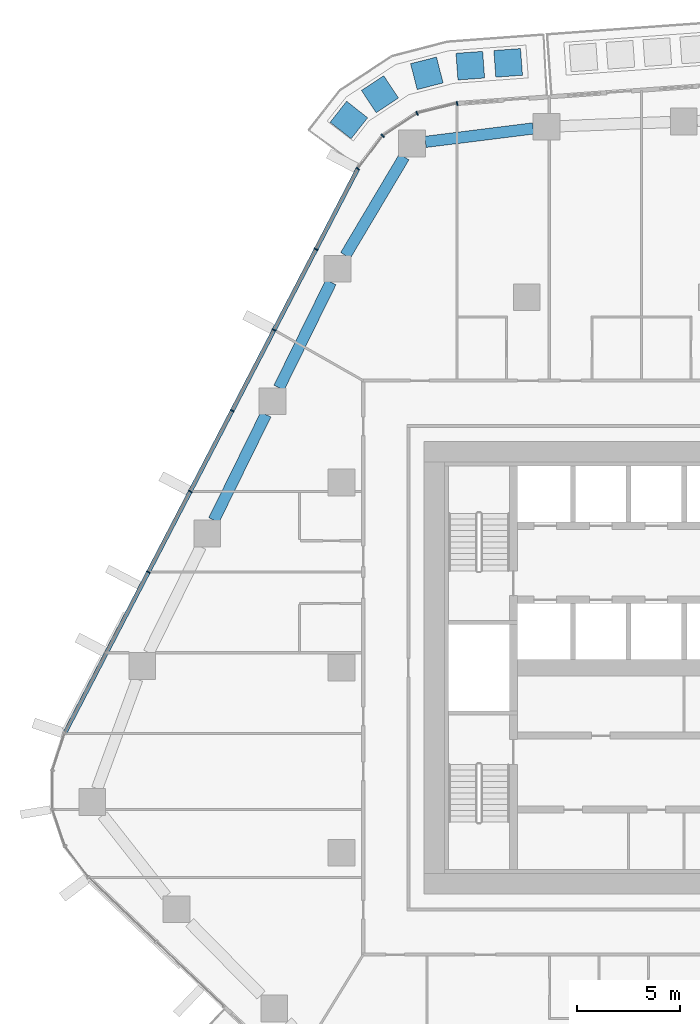
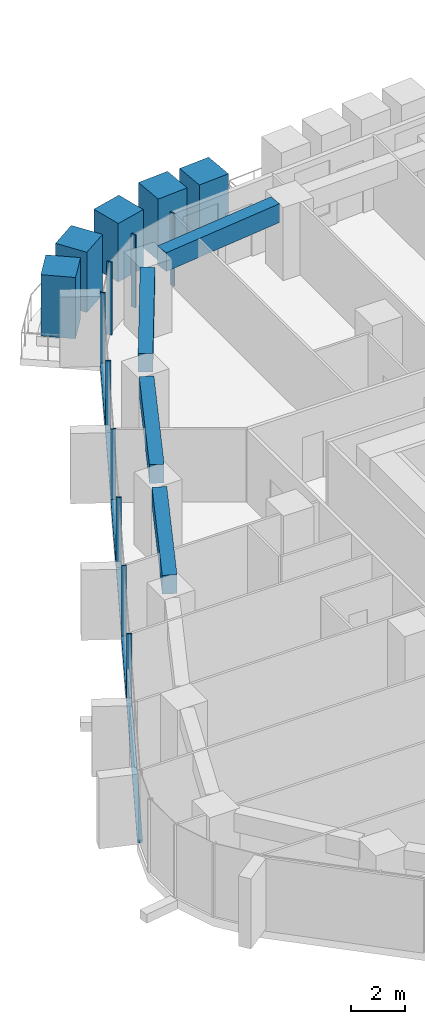
# One storey, part 6 of 24: 15 members, 4 beams, 2 elements without a shape of their own.
"""IFC4 building model written with IfcOpenShell, lengths in metres."""

from ifc_helpers import new_model, si_unit, direction, frame, origin, origin_2d, place, context, subcontext, project, spatial, rectangle, extrude, material, layer, layer_set, material_profile, profile_set, type_object, element, aggregate, save


model = new_model("IFC4")

# Units and contexts
model_context = context("Model", 3, precision=1e-05, world=origin(), true_north=direction((0.0, 1.0)))
body_context = subcontext(model_context, "Body", "Model", "MODEL_VIEW")
ifc_project = project(units=[si_unit("LENGTHUNIT", "METRE"), si_unit("AREAUNIT", "SQUARE_METRE"), si_unit("VOLUMEUNIT", "CUBIC_METRE"), si_unit("PLANEANGLEUNIT", "RADIAN"), si_unit("MASSUNIT", "GRAM", prefix="KILO")], contexts=[model_context])

# Site, building, storey
site_placement = place(None, origin())
site = spatial("IfcSite", under=ifc_project, at=site_placement, CompositionType="ELEMENT")
building_placement = place(site_placement, origin())
building = spatial("IfcBuilding", under=site, at=building_placement, Name="Dongbaek Canopy Tower", CompositionType="ELEMENT")
storey_placement = place(building_placement, frame((0.0, 0.0, 110.0)))
storey = spatial("IfcBuildingStorey", under=building, at=storey_placement, Name="L23", CompositionType="ELEMENT", Elevation=110.0)

# Curtain wall, members
ifc_material_1 = material(Name="Aluminium 6063-T6 pale anodised", Category="aluminium")
ifc_layer = layer(ifc_material_1, 0.199951171875)
ifc_layer_set = layer_set([ifc_layer], Name="CW-1 unitised tower curtain wall")
curtain_wall_type = type_object("IfcCurtainWallType", Name="CW-1 unitised tower curtain wall", PredefinedType="NOTDEFINED", material=ifc_layer_set)
curtain_wall_1_placement = place(storey_placement, origin())
curtain_wall_1 = element("IfcCurtainWall", 1, at=curtain_wall_1_placement, inside=storey, type_object=curtain_wall_type, Name="CW-1 curtain wall K2.1", PredefinedType="NOTDEFINED")
ifc_material_2 = material(Name="Aluminium 6063-T6 pale anodised", Category="aluminium")
ifc_material_profile_1 = material_profile(ifc_material_2, rectangle(XDim=0.199951171875, YDim=0.06005859375, at=origin_2d()), Name="CW-1 mullion 60 x 200")
ifc_profile_set_1 = profile_set([ifc_material_profile_1], Name="Aluminium 6063-T6 pale anodised")
member_type_1 = type_object("IfcMemberType", Name="CW-1 mullion 60 x 200", PredefinedType="MULLION", material=ifc_profile_set_1)
member_1_placement = place(storey_placement, frame((-12.38671875, 27.42138671875, 0.0), z_axis=(0.0, 0.0, 1.0), x_axis=(-0.239455911379, 0.970907238878, 0.0)))
member_1 = element("IfcMember", 2, at=member_1_placement, type_object=member_type_1, Name="CW-1 mullion K2.1.1", PredefinedType="MULLION", context=body_context, shape_type="SweptSolid", body=[
    extrude(rectangle(XDim=0.199951171875, YDim=0.06005859375, at=origin_2d()), origin(), (0.0, 0.0, 1.0), 3.300048828125),
])
member_2_placement = place(storey_placement, frame((-14.3330078125, 26.94140625, 0.0), z_axis=(0.0, 0.0, 1.0), x_axis=(-0.400265324949, 0.916399295964, 0.0)))
member_2 = element("IfcMember", 3, at=member_2_placement, type_object=member_type_1, Name="CW-1 mullion K2.1.2", PredefinedType="MULLION", context=body_context, shape_type="SweptSolid", body=[
    extrude(rectangle(XDim=0.199951171875, YDim=0.06005859375, at=origin_2d()), origin(), (0.0, 0.0, 1.0), 3.300048828125),
])
member_3_placement = place(storey_placement, frame((-16.00048828125, 25.8447265625, 0.0), z_axis=(0.0, 0.0, 1.0), x_axis=(-0.68296070832, 0.730455112167, 0.0)))
member_3 = element("IfcMember", 4, at=member_3_placement, type_object=member_type_1, Name="CW-1 mullion K2.1.3", PredefinedType="MULLION", context=body_context, shape_type="SweptSolid", body=[
    extrude(rectangle(XDim=0.199951171875, YDim=0.06005859375, at=origin_2d()), origin(), (0.0, 0.0, 1.0), 3.300048828125),
])
member_4_placement = place(storey_placement, frame((-17.2119140625, 24.24755859375, 0.0), z_axis=(0.0, 0.0, 1.0), x_axis=(-0.796696348772, 0.60437978776, 0.0)))
member_4 = element("IfcMember", 5, at=member_4_placement, type_object=member_type_1, Name="CW-1 mullion K2.1.4", PredefinedType="MULLION", context=body_context, shape_type="SweptSolid", body=[
    extrude(rectangle(XDim=0.199951171875, YDim=0.06005859375, at=origin_2d()), origin(), (0.0, 0.0, 1.0), 3.300048828125),
])
aggregate(curtain_wall_1, [member_1, member_2, member_3, member_4])

curtain_wall_2_placement = place(storey_placement, origin())
curtain_wall_2 = element("IfcCurtainWall", 6, at=curtain_wall_2_placement, inside=storey, type_object=curtain_wall_type, Name="CW-1 curtain wall F2.1", PredefinedType="NOTDEFINED")
member_5_placement = place(storey_placement, frame((-19.244873046875, 20.333251953125, 0.1201171875), z_axis=(0.0, 0.0, 1.0), x_axis=(-0.887462609411, 0.460879720641, 0.0)))
member_5 = element("IfcMember", 7, at=member_5_placement, type_object=member_type_1, Name="CW-1 mullion F2.1.2", PredefinedType="MULLION", context=body_context, shape_type="SweptSolid", body=[
    extrude(rectangle(XDim=0.199951171875, YDim=0.06005859375, at=origin_2d()), origin(), (0.0, 0.0, 1.0), 3.179931640625),
])
member_6_placement = place(storey_placement, frame((-21.281494140625, 16.411376953125, 0.1201171875), z_axis=(0.0, 0.0, 1.0), x_axis=(-0.887462609411, 0.460879720641, 0.0)))
member_6 = element("IfcMember", 8, at=member_6_placement, type_object=member_type_1, Name="CW-1 mullion F2.1.3", PredefinedType="MULLION", context=body_context, shape_type="SweptSolid", body=[
    extrude(rectangle(XDim=0.199951171875, YDim=0.06005859375, at=origin_2d()), origin(), (0.0, 0.0, 1.0), 3.179931640625),
])
member_7_placement = place(storey_placement, frame((-23.318115234375, 12.489501953125, 0.1201171875), z_axis=(0.0, 0.0, 1.0), x_axis=(-0.887462609411, 0.460879720641, 0.0)))
member_7 = element("IfcMember", 9, at=member_7_placement, type_object=member_type_1, Name="CW-1 mullion F2.1.4", PredefinedType="MULLION", context=body_context, shape_type="SweptSolid", body=[
    extrude(rectangle(XDim=0.199951171875, YDim=0.06005859375, at=origin_2d()), origin(), (0.0, 0.0, 1.0), 3.179931640625),
])
member_8_placement = place(storey_placement, frame((-25.35498046875, 8.567626953125, 0.1201171875), z_axis=(0.0, 0.0, 1.0), x_axis=(-0.887462609411, 0.460879720641, 0.0)))
member_8 = element("IfcMember", 10, at=member_8_placement, type_object=member_type_1, Name="CW-1 mullion F2.1.5", PredefinedType="MULLION", context=body_context, shape_type="SweptSolid", body=[
    extrude(rectangle(XDim=0.199951171875, YDim=0.06005859375, at=origin_2d()), origin(), (0.0, 0.0, 1.0), 3.179931640625),
])
member_9_placement = place(storey_placement, frame((-27.3916015625, 4.645751953125, 0.1201171875), z_axis=(0.0, 0.0, 1.0), x_axis=(-0.887462609411, 0.460879720641, 0.0)))
member_9 = element("IfcMember", 11, at=member_9_placement, type_object=member_type_1, Name="CW-1 mullion F2.1.6", PredefinedType="MULLION", context=body_context, shape_type="SweptSolid", body=[
    extrude(rectangle(XDim=0.199951171875, YDim=0.06005859375, at=origin_2d()), origin(), (0.0, 0.0, 1.0), 3.179931640625),
])
ifc_material_3 = material(Name="Aluminium 6063-T6 pale anodised", Category="aluminium")
ifc_material_profile_2 = material_profile(ifc_material_3, rectangle(XDim=0.199951171875, YDim=0.1201171875, at=origin_2d()), Name="CW-1 transom 120 x 200")
ifc_profile_set_2 = profile_set([ifc_material_profile_2], Name="Aluminium 6063-T6 pale anodised")
member_type_2 = type_object("IfcMemberType", Name="CW-1 transom 120 x 200", PredefinedType="USERDEFINED", material=ifc_profile_set_2)
member_10_placement = place(storey_placement, frame((-17.2119140625, 24.24755859375, 0.06005859375), z_axis=(-0.460881771235, -0.887461544487, 0.0), x_axis=(0.887461544487, -0.460881771235, 0.0)))
member_10 = element("IfcMember", 12, at=member_10_placement, type_object=member_type_2, Name="CW-1 transom F2.1.1", ObjectType="TRANSOM", PredefinedType="USERDEFINED", context=body_context, shape_type="SweptSolid", body=[
    extrude(rectangle(XDim=0.199951171875, YDim=0.1201171875, at=origin_2d()), origin(), (0.0, 0.0, 1.0), 30.91796875),
])
aggregate(curtain_wall_2, [member_5, member_6, member_7, member_8, member_9, member_10])

# Beams
ifc_material_4 = material(Name="Concrete C80", Category="concrete")
ifc_material_profile_3 = material_profile(ifc_material_4, rectangle(XDim=0.550048828125, YDim=0.85009765625, at=origin_2d()), Name="RC EDGE BEAM 550x850 C80")
ifc_profile_set_3 = profile_set([ifc_material_profile_3], Name="Concrete C80")
beam_type = type_object("IfcBeamType", Name="RC EDGE BEAM 550x850 C80", PredefinedType="BEAM", material=ifc_profile_set_3)
beam_1_placement = place(storey_placement, frame((-24.209228515625, 7.16796875, 2.875), z_axis=(0.441418224378, 0.897301482885, 0.0), x_axis=(-0.897301482885, 0.441418224378, 0.0)))
element("IfcBeam", 13, at=beam_1_placement, inside=storey, type_object=beam_type, Name="EDGEBEAM:L23:10", PredefinedType="BEAM", context=body_context, shape_type="SweptSolid", body=[
    extrude(rectangle(XDim=0.550048828125, YDim=0.85009765625, at=origin_2d()), origin(), (0.0, 0.0, 1.0), 5.7216796875),
])
beam_2_placement = place(storey_placement, frame((-21.044189453125, 13.60205078125, 2.875), z_axis=(0.441383867887, 0.89731838339, 0.0), x_axis=(-0.89731838339, 0.441383867887, 0.0)))
element("IfcBeam", 14, at=beam_2_placement, inside=storey, type_object=beam_type, Name="EDGEBEAM:L23:11", PredefinedType="BEAM", context=body_context, shape_type="SweptSolid", body=[
    extrude(rectangle(XDim=0.550048828125, YDim=0.85009765625, at=origin_2d()), origin(), (0.0, 0.0, 1.0), 5.721435546875),
])
beam_3_placement = place(storey_placement, frame((-17.81201171875, 20.035888671875, 2.875), z_axis=(0.511514682827, 0.859274536602, 0.0), x_axis=(-0.859274536602, 0.511514682827, 0.0)))
element("IfcBeam", 15, at=beam_3_placement, inside=storey, type_object=beam_type, Name="EDGEBEAM:L23:12", PredefinedType="BEAM", context=body_context, shape_type="SweptSolid", body=[
    extrude(rectangle(XDim=0.550048828125, YDim=0.85009765625, at=origin_2d()), origin(), (0.0, 0.0, 1.0), 5.570068359375),
])
beam_4_placement = place(storey_placement, frame((-13.926025390625, 25.55322265625, 2.875), z_axis=(0.992297087152, 0.123880954265, 0.0), x_axis=(-0.123880954265, 0.992297087152, 0.0)))
element("IfcBeam", 16, at=beam_4_placement, inside=storey, type_object=beam_type, Name="EDGEBEAM:L23:13", PredefinedType="BEAM", context=body_context, shape_type="SweptSolid", body=[
    extrude(rectangle(XDim=0.550048828125, YDim=0.85009765625, at=origin_2d()), origin(), (0.0, 0.0, 1.0), 5.275634765625),
])

# Members
ifc_material_5 = material(Name="Concrete C40/50 planter mass with planting", Category="concrete")
ifc_material_profile_4 = material_profile(ifc_material_5, rectangle(XDim=1.300048828125, YDim=1.300048828125, at=origin_2d()), Name="Terrace PLANTER shrub mass 1300 x 1300")
ifc_profile_set_4 = profile_set([ifc_material_profile_4], Name="Concrete C40/50 planter mass with planting")
member_type_3 = type_object("IfcMemberType", Name="Terrace PLANTER shrub mass 1300 x 1300", PredefinedType="USERDEFINED", material=ifc_profile_set_4)
member_11_placement = place(storey_placement, frame((-9.905517578125, 29.39306640625, 0.419921875), z_axis=(0.0, 0.0, 1.0), x_axis=(-0.073391445564, 0.997303211525, 0.0)))
element("IfcMember", 17, at=member_11_placement, inside=storey, type_object=member_type_3, Name="Planter shrubs L23 7.1", ObjectType="PLANTER", PredefinedType="USERDEFINED", context=body_context, shape_type="SweptSolid", body=[
    extrude(rectangle(XDim=1.300048828125, YDim=1.300048828125, at=origin_2d()), origin(), (0.0, 0.0, 1.0), 2.690185546875),
])
member_12_placement = place(storey_placement, frame((-11.74609375, 29.257568359375, 0.419921875), z_axis=(0.0, 0.0, 1.0), x_axis=(-0.073391445564, 0.997303211525, 0.0)))
element("IfcMember", 18, at=member_12_placement, inside=storey, type_object=member_type_3, Name="Planter shrubs L23 7.2", ObjectType="PLANTER", PredefinedType="USERDEFINED", context=body_context, shape_type="SweptSolid", body=[
    extrude(rectangle(XDim=1.300048828125, YDim=1.300048828125, at=origin_2d()), origin(), (0.0, 0.0, 1.0), 2.780029296875),
])
member_13_placement = place(storey_placement, frame((-13.858154296875, 28.886474609375, 0.419921875), z_axis=(0.0, 0.0, 1.0), x_axis=(-0.246657305715, 0.969102767274, 0.0)))
element("IfcMember", 19, at=member_13_placement, inside=storey, type_object=member_type_3, Name="Planter shrubs L23 7.3", ObjectType="PLANTER", PredefinedType="USERDEFINED", context=body_context, shape_type="SweptSolid", body=[
    extrude(rectangle(XDim=1.300048828125, YDim=1.300048828125, at=origin_2d()), origin(), (0.0, 0.0, 1.0), 2.650146484375),
])
member_14_placement = place(storey_placement, frame((-16.136962890625, 27.8681640625, 0.419921875), z_axis=(0.0, 0.0, 1.0), x_axis=(-0.54953477566, 0.835470843501, 0.0)))
element("IfcMember", 20, at=member_14_placement, inside=storey, type_object=member_type_3, Name="Planter shrubs L23 7.4", ObjectType="PLANTER", PredefinedType="USERDEFINED", context=body_context, shape_type="SweptSolid", body=[
    extrude(rectangle(XDim=1.300048828125, YDim=1.300048828125, at=origin_2d()), origin(), (0.0, 0.0, 1.0), 2.72998046875),
])
member_15_placement = place(storey_placement, frame((-17.646484375, 26.616455078125, 0.419921875), z_axis=(0.0, 0.0, 1.0), x_axis=(-0.785793501252, 0.618488943628, 0.0)))
element("IfcMember", 21, at=member_15_placement, inside=storey, type_object=member_type_3, Name="Planter shrubs L23 7.5", ObjectType="PLANTER", PredefinedType="USERDEFINED", context=body_context, shape_type="SweptSolid", body=[
    extrude(rectangle(XDim=1.300048828125, YDim=1.300048828125, at=origin_2d()), origin(), (0.0, 0.0, 1.0), 2.780029296875),
])

save(model, "model.ifc")
